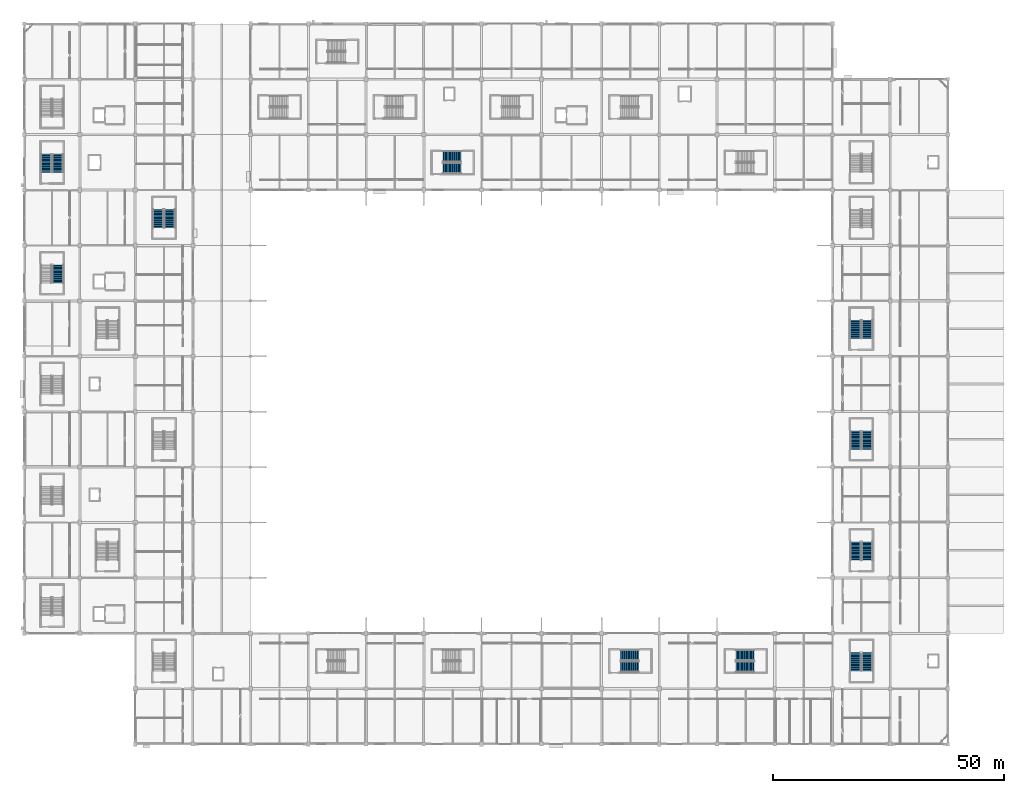
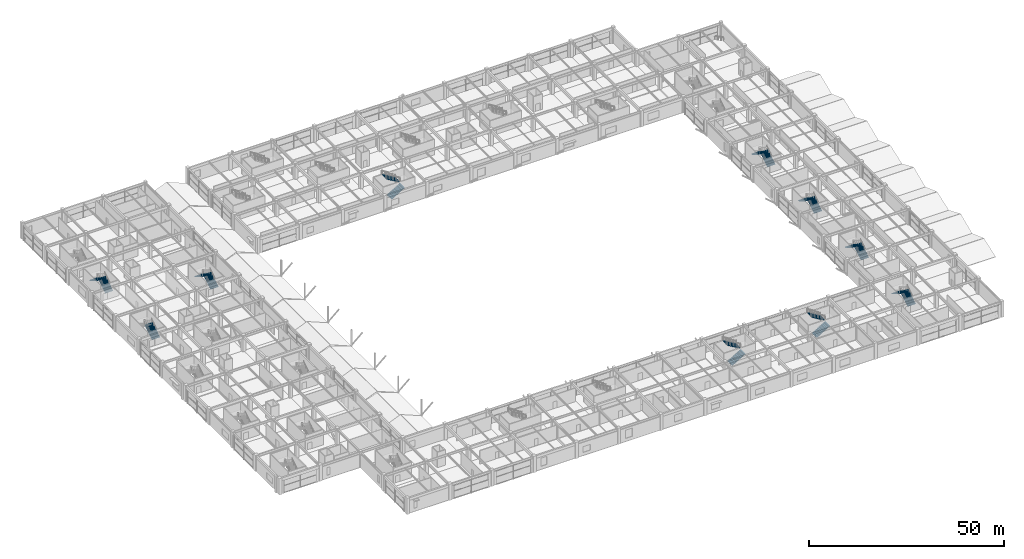
# One storey, part 84 of 116: 19 stair flights, 10 elements without a shape of their own.
"""IFC4 building model written with IfcOpenShell, lengths in metres."""

from ifc_helpers import new_model, si_unit, direction, frame, origin, place, context, subcontext, project, spatial, polyline, outline, extrude, material, type_object, element, aggregate, save


model = new_model("IFC4")

# Units and contexts
model_context = context("Model", 3, precision=1e-05, world=origin(), true_north=direction((0.0, 1.0)))
body_context = subcontext(model_context, "Body", "Model", "MODEL_VIEW")
ifc_project = project(units=[si_unit("LENGTHUNIT", "METRE"), si_unit("AREAUNIT", "SQUARE_METRE"), si_unit("VOLUMEUNIT", "CUBIC_METRE"), si_unit("PLANEANGLEUNIT", "RADIAN"), si_unit("MASSUNIT", "GRAM", prefix="KILO")], contexts=[model_context])

# Site, building, storey
site_placement = place(None, origin())
site = spatial("IfcSite", under=ifc_project, at=site_placement, CompositionType="ELEMENT")
building_placement = place(site_placement, origin())
building = spatial("IfcBuilding", under=site, at=building_placement, Name="Kazenohara Klinker Stadium", CompositionType="ELEMENT")
storey_placement = place(building_placement, frame((0.0, 0.0, 10.199951171875)))
storey = spatial("IfcBuildingStorey", under=building, at=storey_placement, Name="L02", CompositionType="ELEMENT", Elevation=10.199951171875)

# Stair, stair flights
ifc_material = material(Name="Concrete C40/50", Category="concrete")
stair_type_1 = type_object("IfcStairType", Name="STR-DL-2300", PredefinedType="HALF_TURN_STAIR", material=ifc_material)
stair_1_placement = place(storey_placement, origin())
stair_1 = element("IfcStair", 1, at=stair_1_placement, inside=storey, type_object=stair_type_1, Name="L02 Enclosed escape stair ST05", PredefinedType="HALF_TURN_STAIR")
stair_flight_type_1 = type_object("IfcStairFlightType", Name="FLT-DL-2300-5100", PredefinedType="STRAIGHT", material=ifc_material)
stair_flight_1_placement = place(storey_placement, frame((7.25, 135.840087890625, 0.0), z_axis=(0.0, 0.0, 1.0), x_axis=(0.0, 1.0, 0.0)))
stair_flight_1 = element("IfcStairFlight", 2, at=stair_flight_1_placement, type_object=stair_flight_type_1, Name="ST05 flight 1", NumberOfRisers=15, NumberOfTreads=14, PredefinedType="STRAIGHT", RiserHeight=0.17, TreadLength=0.28, context=body_context, shape_type="SweptSolid", body=[
    extrude(outline(polyline([(0.0, 0.0), (0.0, 0.169921875), (0.280029296875, 0.169921875), (0.280029296875, 0.340087890625), (0.56005859375, 0.340087890625), (0.56005859375, 0.510009765625), (0.840087890625, 0.510009765625), (0.840087890625, 0.679931640625), (1.1201171875, 0.679931640625), (1.1201171875, 0.85009765625), (1.39990234375, 0.85009765625), (1.39990234375, 1.02001953125), (1.679931640625, 1.02001953125), (1.679931640625, 1.18994140625), (1.9599609375, 1.18994140625), (1.9599609375, 1.360107421875), (2.239990234375, 1.360107421875), (2.239990234375, 1.530029296875), (2.52001953125, 1.530029296875), (2.52001953125, 1.699951171875), (2.800048828125, 1.699951171875), (2.800048828125, 1.8701171875), (3.080078125, 1.8701171875), (3.080078125, 2.0400390625), (3.360107421875, 2.0400390625), (3.360107421875, 2.2099609375), (3.639892578125, 2.2099609375), (3.639892578125, 2.3798828125), (3.919921875, 2.3798828125), (3.919921875, 2.550048828125), (3.919921875, 2.20458984375), (0.288818359375, 0.0), (0.0, 0.0)])), frame((0.0, 1.14990234375, 0.0), z_axis=(0.0, -1.0, 0.0), x_axis=(1.0, 0.0, 0.0)), (0.0, 0.0, 1.0), 2.300048828125),
])
stair_flight_2_placement = place(storey_placement, frame((4.75, 139.760009765625, 2.550048828125), z_axis=(0.0, 0.0, 1.0), x_axis=(0.0, -1.0, 0.0)))
stair_flight_2 = element("IfcStairFlight", 3, at=stair_flight_2_placement, type_object=stair_flight_type_1, Name="ST05 flight 2", NumberOfRisers=15, NumberOfTreads=14, PredefinedType="STRAIGHT", RiserHeight=0.17, TreadLength=0.28, context=body_context, shape_type="SweptSolid", body=[
    extrude(outline(polyline([(0.0, 0.0), (0.0, 0.169921875), (0.280029296875, 0.169921875), (0.280029296875, 0.340087890625), (0.56005859375, 0.340087890625), (0.56005859375, 0.510009765625), (0.840087890625, 0.510009765625), (0.840087890625, 0.679931640625), (1.1201171875, 0.679931640625), (1.1201171875, 0.85009765625), (1.39990234375, 0.85009765625), (1.39990234375, 1.02001953125), (1.679931640625, 1.02001953125), (1.679931640625, 1.18994140625), (1.9599609375, 1.18994140625), (1.9599609375, 1.360107421875), (2.239990234375, 1.360107421875), (2.239990234375, 1.530029296875), (2.52001953125, 1.530029296875), (2.52001953125, 1.699951171875), (2.800048828125, 1.699951171875), (2.800048828125, 1.8701171875), (3.080078125, 1.8701171875), (3.080078125, 2.0400390625), (3.360107421875, 2.0400390625), (3.360107421875, 2.2099609375), (3.639892578125, 2.2099609375), (3.639892578125, 2.3798828125), (3.919921875, 2.3798828125), (3.919921875, 2.550048828125), (3.919921875, 2.20458984375), (0.288818359375, 0.0), (0.0, 0.0)])), frame((0.0, 1.14990234375, 0.0), z_axis=(0.0, -1.0, 0.0), x_axis=(1.0, 0.0, 0.0)), (0.0, 0.0, 1.0), 2.300048828125),
])
aggregate(stair_1, [stair_flight_1, stair_flight_2])

stair_2_placement = place(storey_placement, origin())
stair_2 = element("IfcStair", 4, at=stair_2_placement, inside=storey, type_object=stair_type_1, Name="L02 Enclosed escape stair ST21", PredefinedType="HALF_TURN_STAIR")
stair_flight_3_placement = place(storey_placement, frame((182.5, 51.840087890625, 0.0), z_axis=(0.0, 0.0, 1.0), x_axis=(0.0, 1.0, 0.0)))
stair_flight_3 = element("IfcStairFlight", 5, at=stair_flight_3_placement, type_object=stair_flight_type_1, Name="ST21 flight 1", NumberOfRisers=15, NumberOfTreads=14, PredefinedType="STRAIGHT", RiserHeight=0.17, TreadLength=0.28, context=body_context, shape_type="SweptSolid", body=[
    extrude(outline(polyline([(0.0, 0.0), (0.0, 0.169921875), (0.280029296875, 0.169921875), (0.280029296875, 0.340087890625), (0.56005859375, 0.340087890625), (0.56005859375, 0.510009765625), (0.840087890625, 0.510009765625), (0.840087890625, 0.679931640625), (1.1201171875, 0.679931640625), (1.1201171875, 0.85009765625), (1.39990234375, 0.85009765625), (1.39990234375, 1.02001953125), (1.679931640625, 1.02001953125), (1.679931640625, 1.18994140625), (1.9599609375, 1.18994140625), (1.9599609375, 1.360107421875), (2.239990234375, 1.360107421875), (2.239990234375, 1.530029296875), (2.52001953125, 1.530029296875), (2.52001953125, 1.699951171875), (2.800048828125, 1.699951171875), (2.800048828125, 1.8701171875), (3.080078125, 1.8701171875), (3.080078125, 2.0400390625), (3.360107421875, 2.0400390625), (3.360107421875, 2.2099609375), (3.639892578125, 2.2099609375), (3.639892578125, 2.3798828125), (3.919921875, 2.3798828125), (3.919921875, 2.550048828125), (3.919921875, 2.20458984375), (0.288818359375, 0.0), (0.0, 0.0)])), frame((0.0, 1.14990234375, 0.0), z_axis=(0.0, -1.0, 0.0), x_axis=(1.0, 0.0, 0.0)), (0.0, 0.0, 1.0), 2.300048828125),
])
stair_flight_4_placement = place(storey_placement, frame((180.0, 55.760009765625, 2.550048828125), z_axis=(0.0, 0.0, 1.0), x_axis=(0.0, -1.0, 0.0)))
stair_flight_4 = element("IfcStairFlight", 6, at=stair_flight_4_placement, type_object=stair_flight_type_1, Name="ST21 flight 2", NumberOfRisers=15, NumberOfTreads=14, PredefinedType="STRAIGHT", RiserHeight=0.17, TreadLength=0.28, context=body_context, shape_type="SweptSolid", body=[
    extrude(outline(polyline([(0.0, 0.0), (0.0, 0.169921875), (0.280029296875, 0.169921875), (0.280029296875, 0.340087890625), (0.56005859375, 0.340087890625), (0.56005859375, 0.510009765625), (0.840087890625, 0.510009765625), (0.840087890625, 0.679931640625), (1.1201171875, 0.679931640625), (1.1201171875, 0.85009765625), (1.39990234375, 0.85009765625), (1.39990234375, 1.02001953125), (1.679931640625, 1.02001953125), (1.679931640625, 1.18994140625), (1.9599609375, 1.18994140625), (1.9599609375, 1.360107421875), (2.239990234375, 1.360107421875), (2.239990234375, 1.530029296875), (2.52001953125, 1.530029296875), (2.52001953125, 1.699951171875), (2.800048828125, 1.699951171875), (2.800048828125, 1.8701171875), (3.080078125, 1.8701171875), (3.080078125, 2.0400390625), (3.360107421875, 2.0400390625), (3.360107421875, 2.2099609375), (3.639892578125, 2.2099609375), (3.639892578125, 2.3798828125), (3.919921875, 2.3798828125), (3.919921875, 2.550048828125), (3.919921875, 2.20458984375), (0.288818359375, 0.0), (0.0, 0.0)])), frame((0.0, 1.14990234375, 0.0), z_axis=(0.0, -1.0, 0.0), x_axis=(1.0, 0.0, 0.0)), (0.0, 0.0, 1.0), 2.300048828125),
])
aggregate(stair_2, [stair_flight_3, stair_flight_4])

stair_type_2 = type_object("IfcStairType", Name="STR-DL-2310", PredefinedType="HALF_TURN_STAIR", material=ifc_material)
stair_3_placement = place(storey_placement, origin())
stair_3 = element("IfcStair", 7, at=stair_3_placement, inside=storey, type_object=stair_type_2, Name="L02 Enclosed escape stair ST18", PredefinedType="HALF_TURN_STAIR")
stair_flight_type_2 = type_object("IfcStairFlightType", Name="FLT-DL-2310-5100", PredefinedType="STRAIGHT", material=ifc_material)
stair_flight_5_placement = place(storey_placement, frame((31.5048828125, 123.85009765625, 0.0), z_axis=(0.0, 0.0, 1.0), x_axis=(0.0, 1.0, 0.0)))
stair_flight_5 = element("IfcStairFlight", 8, at=stair_flight_5_placement, type_object=stair_flight_type_2, Name="ST18 flight 1", NumberOfRisers=15, NumberOfTreads=14, PredefinedType="STRAIGHT", RiserHeight=0.17, TreadLength=0.28, context=body_context, shape_type="SweptSolid", body=[
    extrude(outline(polyline([(0.0, 0.0), (0.0, 0.169921875), (0.280029296875, 0.169921875), (0.280029296875, 0.340087890625), (0.56005859375, 0.340087890625), (0.56005859375, 0.510009765625), (0.840087890625, 0.510009765625), (0.840087890625, 0.679931640625), (1.1201171875, 0.679931640625), (1.1201171875, 0.85009765625), (1.39990234375, 0.85009765625), (1.39990234375, 1.02001953125), (1.679931640625, 1.02001953125), (1.679931640625, 1.18994140625), (1.9599609375, 1.18994140625), (1.9599609375, 1.360107421875), (2.239990234375, 1.360107421875), (2.239990234375, 1.530029296875), (2.52001953125, 1.530029296875), (2.52001953125, 1.699951171875), (2.800048828125, 1.699951171875), (2.800048828125, 1.8701171875), (3.080078125, 1.8701171875), (3.080078125, 2.0400390625), (3.360107421875, 2.0400390625), (3.360107421875, 2.2099609375), (3.639892578125, 2.2099609375), (3.639892578125, 2.3798828125), (3.919921875, 2.3798828125), (3.919921875, 2.550048828125), (3.919921875, 2.20458984375), (0.288818359375, 0.0), (0.0, 0.0)])), frame((0.0, 1.155029296875, 0.0), z_axis=(0.0, -1.0, 0.0), x_axis=(1.0, 0.0, 0.0)), (0.0, 0.0, 1.0), 2.31005859375),
])
stair_flight_6_placement = place(storey_placement, frame((28.9951171875, 127.77001953125, 2.550048828125), z_axis=(0.0, 0.0, 1.0), x_axis=(0.0, -1.0, 0.0)))
stair_flight_6 = element("IfcStairFlight", 9, at=stair_flight_6_placement, type_object=stair_flight_type_2, Name="ST18 flight 2", NumberOfRisers=15, NumberOfTreads=14, PredefinedType="STRAIGHT", RiserHeight=0.17, TreadLength=0.28, context=body_context, shape_type="SweptSolid", body=[
    extrude(outline(polyline([(0.0, 0.0), (0.0, 0.169921875), (0.280029296875, 0.169921875), (0.280029296875, 0.340087890625), (0.56005859375, 0.340087890625), (0.56005859375, 0.510009765625), (0.840087890625, 0.510009765625), (0.840087890625, 0.679931640625), (1.1201171875, 0.679931640625), (1.1201171875, 0.85009765625), (1.39990234375, 0.85009765625), (1.39990234375, 1.02001953125), (1.679931640625, 1.02001953125), (1.679931640625, 1.18994140625), (1.9599609375, 1.18994140625), (1.9599609375, 1.360107421875), (2.239990234375, 1.360107421875), (2.239990234375, 1.530029296875), (2.52001953125, 1.530029296875), (2.52001953125, 1.699951171875), (2.800048828125, 1.699951171875), (2.800048828125, 1.8701171875), (3.080078125, 1.8701171875), (3.080078125, 2.0400390625), (3.360107421875, 2.0400390625), (3.360107421875, 2.2099609375), (3.639892578125, 2.2099609375), (3.639892578125, 2.3798828125), (3.919921875, 2.3798828125), (3.919921875, 2.550048828125), (3.919921875, 2.20458984375), (0.288818359375, 0.0), (0.0, 0.0)])), frame((0.0, 1.155029296875, 0.0), z_axis=(0.0, -1.0, 0.0), x_axis=(1.0, 0.0, 0.0)), (0.0, 0.0, 1.0), 2.31005859375),
])
aggregate(stair_3, [stair_flight_5, stair_flight_6])

stair_4_placement = place(storey_placement, origin())
stair_4 = element("IfcStair", 10, at=stair_4_placement, inside=storey, type_object=stair_type_2, Name="L02 Enclosed escape stair ST22", PredefinedType="HALF_TURN_STAIR")
stair_flight_7_placement = place(storey_placement, frame((182.5048828125, 75.85009765625, 0.0), z_axis=(0.0, 0.0, 1.0), x_axis=(0.0, 1.0, 0.0)))
stair_flight_7 = element("IfcStairFlight", 11, at=stair_flight_7_placement, type_object=stair_flight_type_2, Name="ST22 flight 1", NumberOfRisers=15, NumberOfTreads=14, PredefinedType="STRAIGHT", RiserHeight=0.17, TreadLength=0.28, context=body_context, shape_type="SweptSolid", body=[
    extrude(outline(polyline([(0.0, 0.0), (0.0, 0.169921875), (0.280029296875, 0.169921875), (0.280029296875, 0.340087890625), (0.56005859375, 0.340087890625), (0.56005859375, 0.510009765625), (0.840087890625, 0.510009765625), (0.840087890625, 0.679931640625), (1.1201171875, 0.679931640625), (1.1201171875, 0.85009765625), (1.39990234375, 0.85009765625), (1.39990234375, 1.02001953125), (1.679931640625, 1.02001953125), (1.679931640625, 1.18994140625), (1.9599609375, 1.18994140625), (1.9599609375, 1.360107421875), (2.239990234375, 1.360107421875), (2.239990234375, 1.530029296875), (2.52001953125, 1.530029296875), (2.52001953125, 1.699951171875), (2.800048828125, 1.699951171875), (2.800048828125, 1.8701171875), (3.080078125, 1.8701171875), (3.080078125, 2.0400390625), (3.360107421875, 2.0400390625), (3.360107421875, 2.2099609375), (3.639892578125, 2.2099609375), (3.639892578125, 2.3798828125), (3.919921875, 2.3798828125), (3.919921875, 2.550048828125), (3.919921875, 2.20458984375), (0.288818359375, 0.0), (0.0, 0.0)])), frame((0.0, 1.155029296875, 0.0), z_axis=(0.0, -1.0, 0.0), x_axis=(1.0, 0.0, 0.0)), (0.0, 0.0, 1.0), 2.31005859375),
])
stair_flight_8_placement = place(storey_placement, frame((179.9951171875, 79.77001953125, 2.550048828125), z_axis=(0.0, 0.0, 1.0), x_axis=(0.0, -1.0, 0.0)))
stair_flight_8 = element("IfcStairFlight", 12, at=stair_flight_8_placement, type_object=stair_flight_type_2, Name="ST22 flight 2", NumberOfRisers=15, NumberOfTreads=14, PredefinedType="STRAIGHT", RiserHeight=0.17, TreadLength=0.28, context=body_context, shape_type="SweptSolid", body=[
    extrude(outline(polyline([(0.0, 0.0), (0.0, 0.169921875), (0.280029296875, 0.169921875), (0.280029296875, 0.340087890625), (0.56005859375, 0.340087890625), (0.56005859375, 0.510009765625), (0.840087890625, 0.510009765625), (0.840087890625, 0.679931640625), (1.1201171875, 0.679931640625), (1.1201171875, 0.85009765625), (1.39990234375, 0.85009765625), (1.39990234375, 1.02001953125), (1.679931640625, 1.02001953125), (1.679931640625, 1.18994140625), (1.9599609375, 1.18994140625), (1.9599609375, 1.360107421875), (2.239990234375, 1.360107421875), (2.239990234375, 1.530029296875), (2.52001953125, 1.530029296875), (2.52001953125, 1.699951171875), (2.800048828125, 1.699951171875), (2.800048828125, 1.8701171875), (3.080078125, 1.8701171875), (3.080078125, 2.0400390625), (3.360107421875, 2.0400390625), (3.360107421875, 2.2099609375), (3.639892578125, 2.2099609375), (3.639892578125, 2.3798828125), (3.919921875, 2.3798828125), (3.919921875, 2.550048828125), (3.919921875, 2.20458984375), (0.288818359375, 0.0), (0.0, 0.0)])), frame((0.0, 1.155029296875, 0.0), z_axis=(0.0, -1.0, 0.0), x_axis=(1.0, 0.0, 0.0)), (0.0, 0.0, 1.0), 2.31005859375),
])
aggregate(stair_4, [stair_flight_7, stair_flight_8])

stair_type_3 = type_object("IfcStairType", Name="STR-DL-2330", PredefinedType="HALF_TURN_STAIR", material=ifc_material)
stair_5_placement = place(storey_placement, origin())
stair_5 = element("IfcStair", 13, at=stair_5_placement, inside=storey, type_object=stair_type_3, Name="L02 Enclosed escape stair ST19", PredefinedType="HALF_TURN_STAIR")
stair_flight_type_3 = type_object("IfcStairFlightType", Name="FLT-DL-2330-5100", PredefinedType="STRAIGHT", material=ifc_material)
stair_flight_9_placement = place(storey_placement, frame((90.6201171875, 136.735107421875, 0.0), z_axis=(0.0, 0.0, 1.0), x_axis=(1.0, 0.0, 0.0)))
stair_flight_9 = element("IfcStairFlight", 14, at=stair_flight_9_placement, type_object=stair_flight_type_3, Name="ST19 flight 1", NumberOfRisers=15, NumberOfTreads=14, PredefinedType="STRAIGHT", RiserHeight=0.17, TreadLength=0.28, context=body_context, shape_type="SweptSolid", body=[
    extrude(outline(polyline([(0.0, 0.0), (0.0, 0.169921875), (0.280029296875, 0.169921875), (0.280029296875, 0.340087890625), (0.56005859375, 0.340087890625), (0.56005859375, 0.510009765625), (0.840087890625, 0.510009765625), (0.840087890625, 0.679931640625), (1.1201171875, 0.679931640625), (1.1201171875, 0.85009765625), (1.39990234375, 0.85009765625), (1.39990234375, 1.02001953125), (1.679931640625, 1.02001953125), (1.679931640625, 1.18994140625), (1.9599609375, 1.18994140625), (1.9599609375, 1.360107421875), (2.239990234375, 1.360107421875), (2.239990234375, 1.530029296875), (2.52001953125, 1.530029296875), (2.52001953125, 1.699951171875), (2.800048828125, 1.699951171875), (2.800048828125, 1.8701171875), (3.080078125, 1.8701171875), (3.080078125, 2.0400390625), (3.360107421875, 2.0400390625), (3.360107421875, 2.2099609375), (3.639892578125, 2.2099609375), (3.639892578125, 2.3798828125), (3.919921875, 2.3798828125), (3.919921875, 2.550048828125), (3.919921875, 2.20458984375), (0.288818359375, 0.0), (0.0, 0.0)])), frame((0.0, 1.1650390625, 0.0), z_axis=(0.0, -1.0, 0.0), x_axis=(1.0, 0.0, 0.0)), (0.0, 0.0, 1.0), 2.330078125),
])
stair_flight_10_placement = place(storey_placement, frame((94.5400390625, 139.264892578125, 2.550048828125), z_axis=(0.0, 0.0, 1.0), x_axis=(-1.0, 0.0, 0.0)))
stair_flight_10 = element("IfcStairFlight", 15, at=stair_flight_10_placement, type_object=stair_flight_type_3, Name="ST19 flight 2", NumberOfRisers=15, NumberOfTreads=14, PredefinedType="STRAIGHT", RiserHeight=0.17, TreadLength=0.28, context=body_context, shape_type="SweptSolid", body=[
    extrude(outline(polyline([(0.0, 0.0), (0.0, 0.169921875), (0.280029296875, 0.169921875), (0.280029296875, 0.340087890625), (0.56005859375, 0.340087890625), (0.56005859375, 0.510009765625), (0.840087890625, 0.510009765625), (0.840087890625, 0.679931640625), (1.1201171875, 0.679931640625), (1.1201171875, 0.85009765625), (1.39990234375, 0.85009765625), (1.39990234375, 1.02001953125), (1.679931640625, 1.02001953125), (1.679931640625, 1.18994140625), (1.9599609375, 1.18994140625), (1.9599609375, 1.360107421875), (2.239990234375, 1.360107421875), (2.239990234375, 1.530029296875), (2.52001953125, 1.530029296875), (2.52001953125, 1.699951171875), (2.800048828125, 1.699951171875), (2.800048828125, 1.8701171875), (3.080078125, 1.8701171875), (3.080078125, 2.0400390625), (3.360107421875, 2.0400390625), (3.360107421875, 2.2099609375), (3.639892578125, 2.2099609375), (3.639892578125, 2.3798828125), (3.919921875, 2.3798828125), (3.919921875, 2.550048828125), (3.919921875, 2.20458984375), (0.288818359375, 0.0), (0.0, 0.0)])), frame((0.0, 1.1650390625, 0.0), z_axis=(0.0, -1.0, 0.0), x_axis=(1.0, 0.0, 0.0)), (0.0, 0.0, 1.0), 2.330078125),
])
aggregate(stair_5, [stair_flight_9, stair_flight_10])

stair_6_placement = place(storey_placement, origin())
stair_6 = element("IfcStair", 16, at=stair_6_placement, inside=storey, type_object=stair_type_3, Name="L02 Enclosed escape stair ST23", PredefinedType="HALF_TURN_STAIR")
stair_flight_11_placement = place(storey_placement, frame((182.514892578125, 99.8701171875, 0.0), z_axis=(0.0, 0.0, 1.0), x_axis=(0.0, 1.0, 0.0)))
stair_flight_11 = element("IfcStairFlight", 17, at=stair_flight_11_placement, type_object=stair_flight_type_3, Name="ST23 flight 1", NumberOfRisers=15, NumberOfTreads=14, PredefinedType="STRAIGHT", RiserHeight=0.17, TreadLength=0.28, context=body_context, shape_type="SweptSolid", body=[
    extrude(outline(polyline([(0.0, 0.0), (0.0, 0.169921875), (0.280029296875, 0.169921875), (0.280029296875, 0.340087890625), (0.56005859375, 0.340087890625), (0.56005859375, 0.510009765625), (0.840087890625, 0.510009765625), (0.840087890625, 0.679931640625), (1.1201171875, 0.679931640625), (1.1201171875, 0.85009765625), (1.39990234375, 0.85009765625), (1.39990234375, 1.02001953125), (1.679931640625, 1.02001953125), (1.679931640625, 1.18994140625), (1.9599609375, 1.18994140625), (1.9599609375, 1.360107421875), (2.239990234375, 1.360107421875), (2.239990234375, 1.530029296875), (2.52001953125, 1.530029296875), (2.52001953125, 1.699951171875), (2.800048828125, 1.699951171875), (2.800048828125, 1.8701171875), (3.080078125, 1.8701171875), (3.080078125, 2.0400390625), (3.360107421875, 2.0400390625), (3.360107421875, 2.2099609375), (3.639892578125, 2.2099609375), (3.639892578125, 2.3798828125), (3.919921875, 2.3798828125), (3.919921875, 2.550048828125), (3.919921875, 2.20458984375), (0.288818359375, 0.0), (0.0, 0.0)])), frame((0.0, 1.1650390625, 0.0), z_axis=(0.0, -1.0, 0.0), x_axis=(1.0, 0.0, 0.0)), (0.0, 0.0, 1.0), 2.330078125),
])
stair_flight_12_placement = place(storey_placement, frame((179.985107421875, 103.7900390625, 2.550048828125), z_axis=(0.0, 0.0, 1.0), x_axis=(0.0, -1.0, 0.0)))
stair_flight_12 = element("IfcStairFlight", 18, at=stair_flight_12_placement, type_object=stair_flight_type_3, Name="ST23 flight 2", NumberOfRisers=15, NumberOfTreads=14, PredefinedType="STRAIGHT", RiserHeight=0.17, TreadLength=0.28, context=body_context, shape_type="SweptSolid", body=[
    extrude(outline(polyline([(0.0, 0.0), (0.0, 0.169921875), (0.280029296875, 0.169921875), (0.280029296875, 0.340087890625), (0.56005859375, 0.340087890625), (0.56005859375, 0.510009765625), (0.840087890625, 0.510009765625), (0.840087890625, 0.679931640625), (1.1201171875, 0.679931640625), (1.1201171875, 0.85009765625), (1.39990234375, 0.85009765625), (1.39990234375, 1.02001953125), (1.679931640625, 1.02001953125), (1.679931640625, 1.18994140625), (1.9599609375, 1.18994140625), (1.9599609375, 1.360107421875), (2.239990234375, 1.360107421875), (2.239990234375, 1.530029296875), (2.52001953125, 1.530029296875), (2.52001953125, 1.699951171875), (2.800048828125, 1.699951171875), (2.800048828125, 1.8701171875), (3.080078125, 1.8701171875), (3.080078125, 2.0400390625), (3.360107421875, 2.0400390625), (3.360107421875, 2.2099609375), (3.639892578125, 2.2099609375), (3.639892578125, 2.3798828125), (3.919921875, 2.3798828125), (3.919921875, 2.550048828125), (3.919921875, 2.20458984375), (0.288818359375, 0.0), (0.0, 0.0)])), frame((0.0, 1.1650390625, 0.0), z_axis=(0.0, -1.0, 0.0), x_axis=(1.0, 0.0, 0.0)), (0.0, 0.0, 1.0), 2.330078125),
])
aggregate(stair_6, [stair_flight_11, stair_flight_12])

stair_7_placement = place(storey_placement, origin())
stair_7 = element("IfcStair", 19, at=stair_7_placement, inside=storey, type_object=stair_type_3, Name="L02 Enclosed escape stair ST27", PredefinedType="HALF_TURN_STAIR")
stair_flight_13_placement = place(storey_placement, frame((129.1201171875, 28.735107421875, 0.0), z_axis=(0.0, 0.0, 1.0), x_axis=(1.0, 0.0, 0.0)))
stair_flight_13 = element("IfcStairFlight", 20, at=stair_flight_13_placement, type_object=stair_flight_type_3, Name="ST27 flight 1", NumberOfRisers=15, NumberOfTreads=14, PredefinedType="STRAIGHT", RiserHeight=0.17, TreadLength=0.28, context=body_context, shape_type="SweptSolid", body=[
    extrude(outline(polyline([(0.0, 0.0), (0.0, 0.169921875), (0.280029296875, 0.169921875), (0.280029296875, 0.340087890625), (0.56005859375, 0.340087890625), (0.56005859375, 0.510009765625), (0.840087890625, 0.510009765625), (0.840087890625, 0.679931640625), (1.1201171875, 0.679931640625), (1.1201171875, 0.85009765625), (1.39990234375, 0.85009765625), (1.39990234375, 1.02001953125), (1.679931640625, 1.02001953125), (1.679931640625, 1.18994140625), (1.9599609375, 1.18994140625), (1.9599609375, 1.360107421875), (2.239990234375, 1.360107421875), (2.239990234375, 1.530029296875), (2.52001953125, 1.530029296875), (2.52001953125, 1.699951171875), (2.800048828125, 1.699951171875), (2.800048828125, 1.8701171875), (3.080078125, 1.8701171875), (3.080078125, 2.0400390625), (3.360107421875, 2.0400390625), (3.360107421875, 2.2099609375), (3.639892578125, 2.2099609375), (3.639892578125, 2.3798828125), (3.919921875, 2.3798828125), (3.919921875, 2.550048828125), (3.919921875, 2.20458984375), (0.288818359375, 0.0), (0.0, 0.0)])), frame((0.0, 1.1650390625, 0.0), z_axis=(0.0, -1.0, 0.0), x_axis=(1.0, 0.0, 0.0)), (0.0, 0.0, 1.0), 2.330078125),
])
stair_flight_14_placement = place(storey_placement, frame((133.0400390625, 31.264892578125, 2.550048828125), z_axis=(0.0, 0.0, 1.0), x_axis=(-1.0, 0.0, 0.0)))
stair_flight_14 = element("IfcStairFlight", 21, at=stair_flight_14_placement, type_object=stair_flight_type_3, Name="ST27 flight 2", NumberOfRisers=15, NumberOfTreads=14, PredefinedType="STRAIGHT", RiserHeight=0.17, TreadLength=0.28, context=body_context, shape_type="SweptSolid", body=[
    extrude(outline(polyline([(0.0, 0.0), (0.0, 0.169921875), (0.280029296875, 0.169921875), (0.280029296875, 0.340087890625), (0.56005859375, 0.340087890625), (0.56005859375, 0.510009765625), (0.840087890625, 0.510009765625), (0.840087890625, 0.679931640625), (1.1201171875, 0.679931640625), (1.1201171875, 0.85009765625), (1.39990234375, 0.85009765625), (1.39990234375, 1.02001953125), (1.679931640625, 1.02001953125), (1.679931640625, 1.18994140625), (1.9599609375, 1.18994140625), (1.9599609375, 1.360107421875), (2.239990234375, 1.360107421875), (2.239990234375, 1.530029296875), (2.52001953125, 1.530029296875), (2.52001953125, 1.699951171875), (2.800048828125, 1.699951171875), (2.800048828125, 1.8701171875), (3.080078125, 1.8701171875), (3.080078125, 2.0400390625), (3.360107421875, 2.0400390625), (3.360107421875, 2.2099609375), (3.639892578125, 2.2099609375), (3.639892578125, 2.3798828125), (3.919921875, 2.3798828125), (3.919921875, 2.550048828125), (3.919921875, 2.20458984375), (0.288818359375, 0.0), (0.0, 0.0)])), frame((0.0, 1.1650390625, 0.0), z_axis=(0.0, -1.0, 0.0), x_axis=(1.0, 0.0, 0.0)), (0.0, 0.0, 1.0), 2.330078125),
])
aggregate(stair_7, [stair_flight_13, stair_flight_14])

# Stair, stair flight
stair_type_4 = type_object("IfcStairType", Name="STR-DL-2340", PredefinedType="HALF_TURN_STAIR", material=ifc_material)
stair_8_placement = place(storey_placement, origin())
stair_8 = element("IfcStair", 22, at=stair_8_placement, inside=storey, type_object=stair_type_4, Name="L02 Enclosed escape stair ST04", PredefinedType="HALF_TURN_STAIR")
stair_flight_type_4 = type_object("IfcStairFlightType", Name="FLT-DL-2340-5100", PredefinedType="STRAIGHT", material=ifc_material)
stair_flight_15_placement = place(storey_placement, frame((7.27001953125, 111.8798828125, 0.0), z_axis=(0.0, 0.0, 1.0), x_axis=(0.0, 1.0, 0.0)))
stair_flight_15 = element("IfcStairFlight", 23, at=stair_flight_15_placement, type_object=stair_flight_type_4, Name="ST04 flight 1", NumberOfRisers=15, NumberOfTreads=14, PredefinedType="STRAIGHT", RiserHeight=0.17, TreadLength=0.28, context=body_context, shape_type="SweptSolid", body=[
    extrude(outline(polyline([(0.0, 0.0), (0.0, 0.169921875), (0.280029296875, 0.169921875), (0.280029296875, 0.340087890625), (0.56005859375, 0.340087890625), (0.56005859375, 0.510009765625), (0.840087890625, 0.510009765625), (0.840087890625, 0.679931640625), (1.1201171875, 0.679931640625), (1.1201171875, 0.85009765625), (1.39990234375, 0.85009765625), (1.39990234375, 1.02001953125), (1.679931640625, 1.02001953125), (1.679931640625, 1.18994140625), (1.9599609375, 1.18994140625), (1.9599609375, 1.360107421875), (2.239990234375, 1.360107421875), (2.239990234375, 1.530029296875), (2.52001953125, 1.530029296875), (2.52001953125, 1.699951171875), (2.800048828125, 1.699951171875), (2.800048828125, 1.8701171875), (3.080078125, 1.8701171875), (3.080078125, 2.0400390625), (3.360107421875, 2.0400390625), (3.360107421875, 2.2099609375), (3.639892578125, 2.2099609375), (3.639892578125, 2.3798828125), (3.919921875, 2.3798828125), (3.919921875, 2.550048828125), (3.919921875, 2.20458984375), (0.288818359375, 0.0), (0.0, 0.0)])), frame((0.0, 1.169921875, 0.0), z_axis=(0.0, -1.0, 0.0), x_axis=(1.0, 0.0, 0.0)), (0.0, 0.0, 1.0), 2.340087890625),
])
aggregate(stair_8, [stair_flight_15])

# Stair, stair flights
stair_9_placement = place(storey_placement, origin())
stair_9 = element("IfcStair", 24, at=stair_9_placement, inside=storey, type_object=stair_type_4, Name="L02 Enclosed escape stair ST16", PredefinedType="HALF_TURN_STAIR")
stair_flight_16_placement = place(storey_placement, frame((182.52001953125, 27.8798828125, 0.0), z_axis=(0.0, 0.0, 1.0), x_axis=(0.0, 1.0, 0.0)))
stair_flight_16 = element("IfcStairFlight", 25, at=stair_flight_16_placement, type_object=stair_flight_type_4, Name="ST16 flight 1", NumberOfRisers=15, NumberOfTreads=14, PredefinedType="STRAIGHT", RiserHeight=0.17, TreadLength=0.28, context=body_context, shape_type="SweptSolid", body=[
    extrude(outline(polyline([(0.0, 0.0), (0.0, 0.169921875), (0.280029296875, 0.169921875), (0.280029296875, 0.340087890625), (0.56005859375, 0.340087890625), (0.56005859375, 0.510009765625), (0.840087890625, 0.510009765625), (0.840087890625, 0.679931640625), (1.1201171875, 0.679931640625), (1.1201171875, 0.85009765625), (1.39990234375, 0.85009765625), (1.39990234375, 1.02001953125), (1.679931640625, 1.02001953125), (1.679931640625, 1.18994140625), (1.9599609375, 1.18994140625), (1.9599609375, 1.360107421875), (2.239990234375, 1.360107421875), (2.239990234375, 1.530029296875), (2.52001953125, 1.530029296875), (2.52001953125, 1.699951171875), (2.800048828125, 1.699951171875), (2.800048828125, 1.8701171875), (3.080078125, 1.8701171875), (3.080078125, 2.0400390625), (3.360107421875, 2.0400390625), (3.360107421875, 2.2099609375), (3.639892578125, 2.2099609375), (3.639892578125, 2.3798828125), (3.919921875, 2.3798828125), (3.919921875, 2.550048828125), (3.919921875, 2.20458984375), (0.288818359375, 0.0), (0.0, 0.0)])), frame((0.0, 1.169921875, 0.0), z_axis=(0.0, -1.0, 0.0), x_axis=(1.0, 0.0, 0.0)), (0.0, 0.0, 1.0), 2.340087890625),
])
stair_flight_17_placement = place(storey_placement, frame((179.97998046875, 31.800048828125, 2.550048828125), z_axis=(0.0, 0.0, 1.0), x_axis=(0.0, -1.0, 0.0)))
stair_flight_17 = element("IfcStairFlight", 26, at=stair_flight_17_placement, type_object=stair_flight_type_4, Name="ST16 flight 2", NumberOfRisers=15, NumberOfTreads=14, PredefinedType="STRAIGHT", RiserHeight=0.17, TreadLength=0.28, context=body_context, shape_type="SweptSolid", body=[
    extrude(outline(polyline([(0.0, 0.0), (0.0, 0.169921875), (0.280029296875, 0.169921875), (0.280029296875, 0.340087890625), (0.56005859375, 0.340087890625), (0.56005859375, 0.510009765625), (0.840087890625, 0.510009765625), (0.840087890625, 0.679931640625), (1.1201171875, 0.679931640625), (1.1201171875, 0.85009765625), (1.39990234375, 0.85009765625), (1.39990234375, 1.02001953125), (1.679931640625, 1.02001953125), (1.679931640625, 1.18994140625), (1.9599609375, 1.18994140625), (1.9599609375, 1.360107421875), (2.239990234375, 1.360107421875), (2.239990234375, 1.530029296875), (2.52001953125, 1.530029296875), (2.52001953125, 1.699951171875), (2.800048828125, 1.699951171875), (2.800048828125, 1.8701171875), (3.080078125, 1.8701171875), (3.080078125, 2.0400390625), (3.360107421875, 2.0400390625), (3.360107421875, 2.2099609375), (3.639892578125, 2.2099609375), (3.639892578125, 2.3798828125), (3.919921875, 2.3798828125), (3.919921875, 2.550048828125), (3.919921875, 2.20458984375), (0.288818359375, 0.0), (0.0, 0.0)])), frame((0.0, 1.169921875, 0.0), z_axis=(0.0, -1.0, 0.0), x_axis=(1.0, 0.0, 0.0)), (0.0, 0.0, 1.0), 2.340087890625),
])
aggregate(stair_9, [stair_flight_16, stair_flight_17])

stair_10_placement = place(storey_placement, origin())
stair_10 = element("IfcStair", 27, at=stair_10_placement, inside=storey, type_object=stair_type_4, Name="L02 Enclosed escape stair ST28", PredefinedType="HALF_TURN_STAIR")
stair_flight_18_placement = place(storey_placement, frame((154.1298828125, 28.72998046875, 0.0), z_axis=(0.0, 0.0, 1.0), x_axis=(1.0, 0.0, 0.0)))
stair_flight_18 = element("IfcStairFlight", 28, at=stair_flight_18_placement, type_object=stair_flight_type_4, Name="ST28 flight 1", NumberOfRisers=15, NumberOfTreads=14, PredefinedType="STRAIGHT", RiserHeight=0.17, TreadLength=0.28, context=body_context, shape_type="SweptSolid", body=[
    extrude(outline(polyline([(0.0, 0.0), (0.0, 0.169921875), (0.280029296875, 0.169921875), (0.280029296875, 0.340087890625), (0.56005859375, 0.340087890625), (0.56005859375, 0.510009765625), (0.840087890625, 0.510009765625), (0.840087890625, 0.679931640625), (1.1201171875, 0.679931640625), (1.1201171875, 0.85009765625), (1.39990234375, 0.85009765625), (1.39990234375, 1.02001953125), (1.679931640625, 1.02001953125), (1.679931640625, 1.18994140625), (1.9599609375, 1.18994140625), (1.9599609375, 1.360107421875), (2.239990234375, 1.360107421875), (2.239990234375, 1.530029296875), (2.52001953125, 1.530029296875), (2.52001953125, 1.699951171875), (2.800048828125, 1.699951171875), (2.800048828125, 1.8701171875), (3.080078125, 1.8701171875), (3.080078125, 2.0400390625), (3.360107421875, 2.0400390625), (3.360107421875, 2.2099609375), (3.639892578125, 2.2099609375), (3.639892578125, 2.3798828125), (3.919921875, 2.3798828125), (3.919921875, 2.550048828125), (3.919921875, 2.20458984375), (0.288818359375, 0.0), (0.0, 0.0)])), frame((0.0, 1.169921875, 0.0), z_axis=(0.0, -1.0, 0.0), x_axis=(1.0, 0.0, 0.0)), (0.0, 0.0, 1.0), 2.340087890625),
])
stair_flight_19_placement = place(storey_placement, frame((158.050048828125, 31.27001953125, 2.550048828125), z_axis=(0.0, 0.0, 1.0), x_axis=(-1.0, 0.0, 0.0)))
stair_flight_19 = element("IfcStairFlight", 29, at=stair_flight_19_placement, type_object=stair_flight_type_4, Name="ST28 flight 2", NumberOfRisers=15, NumberOfTreads=14, PredefinedType="STRAIGHT", RiserHeight=0.17, TreadLength=0.28, context=body_context, shape_type="SweptSolid", body=[
    extrude(outline(polyline([(0.0, 0.0), (0.0, 0.169921875), (0.280029296875, 0.169921875), (0.280029296875, 0.340087890625), (0.56005859375, 0.340087890625), (0.56005859375, 0.510009765625), (0.840087890625, 0.510009765625), (0.840087890625, 0.679931640625), (1.1201171875, 0.679931640625), (1.1201171875, 0.85009765625), (1.39990234375, 0.85009765625), (1.39990234375, 1.02001953125), (1.679931640625, 1.02001953125), (1.679931640625, 1.18994140625), (1.9599609375, 1.18994140625), (1.9599609375, 1.360107421875), (2.239990234375, 1.360107421875), (2.239990234375, 1.530029296875), (2.52001953125, 1.530029296875), (2.52001953125, 1.699951171875), (2.800048828125, 1.699951171875), (2.800048828125, 1.8701171875), (3.080078125, 1.8701171875), (3.080078125, 2.0400390625), (3.360107421875, 2.0400390625), (3.360107421875, 2.2099609375), (3.639892578125, 2.2099609375), (3.639892578125, 2.3798828125), (3.919921875, 2.3798828125), (3.919921875, 2.550048828125), (3.919921875, 2.20458984375), (0.288818359375, 0.0), (0.0, 0.0)])), frame((0.0, 1.169921875, 0.0), z_axis=(0.0, -1.0, 0.0), x_axis=(1.0, 0.0, 0.0)), (0.0, 0.0, 1.0), 2.340087890625),
])
aggregate(stair_10, [stair_flight_18, stair_flight_19])

save(model, "model.ifc")
